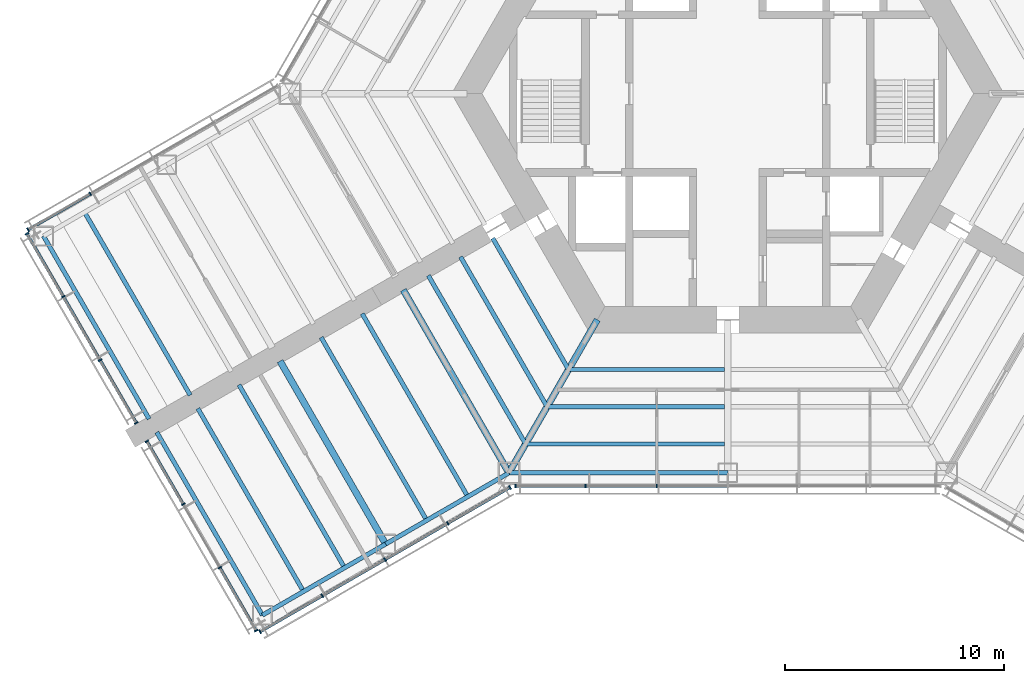
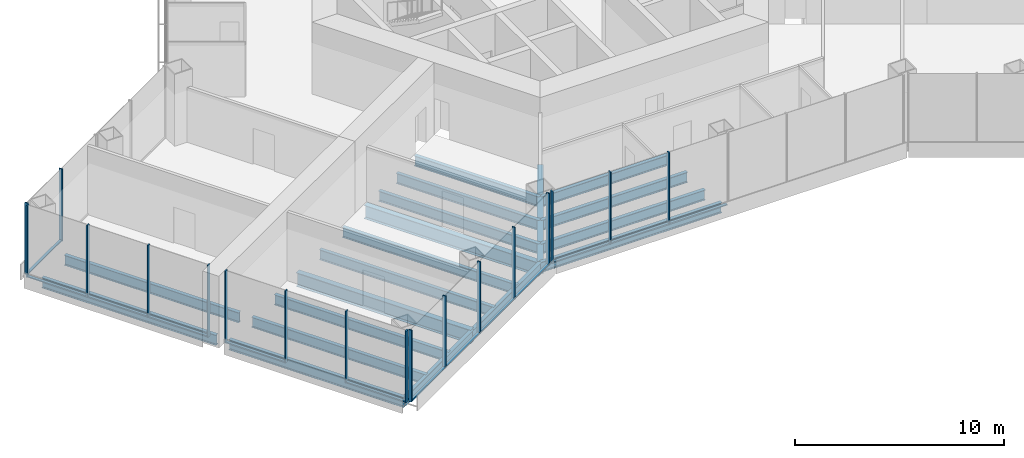
# One storey, part 2 of 16: 31 members, 19 beams, 5 elements without a shape of their own.
"""IFC4 building model written with IfcOpenShell, lengths in metres."""

from ifc_helpers import new_model, si_unit, direction, frame, origin, origin_2d, place, context, subcontext, project, spatial, rectangle, i_section, extrude, material, material_profile, profile_set, type_object, element, aggregate, save


model = new_model("IFC4")

# Units and contexts
model_context = context("Model", 3, precision=1e-05, world=origin(), true_north=direction((0.0, 1.0)))
body_context = subcontext(model_context, "Body", "Model", "MODEL_VIEW")
ifc_project = project(units=[si_unit("LENGTHUNIT", "METRE"), si_unit("AREAUNIT", "SQUARE_METRE"), si_unit("VOLUMEUNIT", "CUBIC_METRE"), si_unit("PLANEANGLEUNIT", "RADIAN"), si_unit("MASSUNIT", "GRAM", prefix="KILO")], contexts=[model_context])

# Site, building, storey
site_placement = place(None, origin())
site = spatial("IfcSite", under=ifc_project, at=site_placement, CompositionType="ELEMENT")
building_placement = place(site_placement, origin())
building = spatial("IfcBuilding", under=site, at=building_placement, Name="Kasaneha Research Tower", CompositionType="ELEMENT")
storey_placement = place(building_placement, frame((0.0, 0.0, 22.60009765625)))
storey = spatial("IfcBuildingStorey", under=building, at=storey_placement, Name="L06", CompositionType="ELEMENT", Elevation=22.60009765625)

# Beams
ifc_material_1 = material(Name="Steel SN490B", Category="steel")
ifc_material_profile_1 = material_profile(ifc_material_1, i_section(OverallWidth=0.199951171875, OverallDepth=0.60009765625, WebThickness=0.010986328125, FlangeThickness=0.01708984375, FilletRadius=0.012939453125, at=origin_2d()), Name="H-600x200x11x17")
ifc_profile_set_1 = profile_set([ifc_material_profile_1], Name="Steel SN490B")
beam_type_1 = type_object("IfcBeamType", Name="B1-1 secondary beam H-600x200x11x17", PredefinedType="JOIST", material=ifc_profile_set_1)
beam_1_placement = place(storey_placement, frame((-7.274658203125, -12.60009765625, -0.5), z_axis=(-0.499972710878, 0.866041158593, 0.0), x_axis=(-0.866041158593, -0.499972710878, 0.0)))
element("IfcBeam", 1, at=beam_1_placement, inside=storey, type_object=beam_type_1, Name="Secondary beam RS210R1 L06", PredefinedType="JOIST", context=body_context, shape_type="SweptSolid", body=[
    extrude(i_section(OverallWidth=0.199951171875, OverallDepth=0.60009765625, WebThickness=0.010986328125, FlangeThickness=0.01708984375, FilletRadius=0.012939453125, at=origin_2d()), origin(), (0.0, 0.0, 1.0), 6.9248046875),
])
beam_2_placement = place(storey_placement, frame((-8.256103515625, -14.300048828125, -0.5), z_axis=(-0.500004902938, 0.866022573054, 0.0), x_axis=(-0.866022573054, -0.500004902938, 0.0)))
element("IfcBeam", 2, at=beam_2_placement, inside=storey, type_object=beam_type_1, Name="Secondary beam RS210R2 L06", PredefinedType="JOIST", context=body_context, shape_type="SweptSolid", body=[
    extrude(i_section(OverallWidth=0.199951171875, OverallDepth=0.60009765625, WebThickness=0.010986328125, FlangeThickness=0.01708984375, FilletRadius=0.012939453125, at=origin_2d()), origin(), (0.0, 0.0, 1.0), 7.90625),
])
beam_3_placement = place(storey_placement, frame((-9.237548828125, -16.0, -0.5), z_axis=(-0.500009382636, 0.866019986649, 0.0), x_axis=(-0.866019986649, -0.500009382636, 0.0)))
element("IfcBeam", 3, at=beam_3_placement, inside=storey, type_object=beam_type_1, Name="Secondary beam RS210R3 L06", PredefinedType="JOIST", context=body_context, shape_type="SweptSolid", body=[
    extrude(i_section(OverallWidth=0.199951171875, OverallDepth=0.60009765625, WebThickness=0.010986328125, FlangeThickness=0.01708984375, FilletRadius=0.012939453125, at=origin_2d()), origin(), (0.0, 0.0, 1.0), 8.887451171875),
])
beam_4_placement = place(storey_placement, frame((-7.274658203125, -12.60009765625, -0.5), z_axis=(1.0, 0.0, 0.0), x_axis=(0.0, 1.0, 0.0)))
element("IfcBeam", 4, at=beam_4_placement, inside=storey, type_object=beam_type_1, Name="Secondary beam RS270L1 L06", PredefinedType="JOIST", context=body_context, shape_type="SweptSolid", body=[
    extrude(i_section(OverallWidth=0.199951171875, OverallDepth=0.60009765625, WebThickness=0.010986328125, FlangeThickness=0.01708984375, FilletRadius=0.012939453125, at=origin_2d()), origin(), (0.0, 0.0, 1.0), 7.124755859375),
])
beam_5_placement = place(storey_placement, frame((-8.256103515625, -14.300048828125, -0.5), z_axis=(1.0, 0.0, 0.0), x_axis=(0.0, 1.0, 0.0)))
element("IfcBeam", 5, at=beam_5_placement, inside=storey, type_object=beam_type_1, Name="Secondary beam RS270L2 L06", PredefinedType="JOIST", context=body_context, shape_type="SweptSolid", body=[
    extrude(i_section(OverallWidth=0.199951171875, OverallDepth=0.60009765625, WebThickness=0.010986328125, FlangeThickness=0.01708984375, FilletRadius=0.012939453125, at=origin_2d()), origin(), (0.0, 0.0, 1.0), 8.106201171875),
])
beam_6_placement = place(storey_placement, frame((-9.237548828125, -16.0, -0.5), z_axis=(1.0, 0.0, 0.0), x_axis=(0.0, 1.0, 0.0)))
element("IfcBeam", 6, at=beam_6_placement, inside=storey, type_object=beam_type_1, Name="Secondary beam RS270L3 L06", PredefinedType="JOIST", context=body_context, shape_type="SweptSolid", body=[
    extrude(i_section(OverallWidth=0.199951171875, OverallDepth=0.60009765625, WebThickness=0.010986328125, FlangeThickness=0.01708984375, FilletRadius=0.012939453125, at=origin_2d()), origin(), (0.0, 0.0, 1.0), 9.087646484375),
])
ifc_material_2 = material(Name="Steel SN490B", Category="steel")
ifc_material_profile_2 = material_profile(ifc_material_2, i_section(OverallWidth=0.198974609375, OverallDepth=0.595947265625, WebThickness=0.010009765625, FlangeThickness=0.014892578125, FilletRadius=0.012939453125, at=origin_2d()), Name="H-596x199x10x15")
ifc_profile_set_2 = profile_set([ifc_material_profile_2], Name="Steel SN490B")
beam_type_2 = type_object("IfcBeamType", Name="B2-1 secondary beam H-596x199x10x15", PredefinedType="JOIST", material=ifc_profile_set_2)
for number, where, z_axis, x_axis, name in (
    (7, (-29.3818359375, -5.416748046875, -0.498046875), (0.499994742786, -0.866028439017, 0.0), (0.866028439017, 0.499994742786, 0.0), "Secondary beam WBBP4 L06"),
    (8, (-11.87646484375, -18.40380859375, -0.498046875), (-0.499994742786, 0.866028439017, 0.0), (-0.866028439017, -0.499994742786, 0.0), "Secondary beam WBBN1 L06"),
    (9, (-13.752685546875, -19.487060546875, -0.498046875), (-0.500024672494, 0.866011158645, 0.0), (-0.866011158645, -0.500024672494, 0.0), "Secondary beam WBBN2 L06"),
    (10, (-17.505615234375, -21.65380859375, -0.498046875), (-0.499994742786, 0.866028439017, 0.0), (-0.866028439017, -0.499994742786, 0.0), "Secondary beam WBBN3 L06"),
    (11, (-19.3818359375, -22.737060546875, -0.498046875), (-0.500024672494, 0.866011158645, 0.0), (-0.866011158645, -0.500024672494, 0.0), "Secondary beam WBBN4 L06"),
):
    element("IfcBeam", number, at=place(storey_placement, frame(where, z_axis=z_axis, x_axis=x_axis)), inside=storey, type_object=beam_type_2, Name=name, PredefinedType="JOIST", context=body_context, shape_type="SweptSolid", body=[
        extrude(i_section(OverallWidth=0.198974609375, OverallDepth=0.595947265625, WebThickness=0.010009765625, FlangeThickness=0.014892578125, FilletRadius=0.012939453125, at=origin_2d()), origin(), (0.0, 0.0, 1.0), 9.64990234375),
    ])

# Curtain wall, members
ifc_material_3 = material(Name="Glass and aluminium", Category="aluminium")
curtain_wall_type = type_object("IfcCurtainWallType", Name="Wet laboratory curtain wall", PredefinedType="USERDEFINED", material=ifc_material_3)
curtain_wall_1_placement = place(storey_placement, origin())
curtain_wall_1 = element("IfcCurtainWall", 12, at=curtain_wall_1_placement, inside=storey, type_object=curtain_wall_type, Name="CW-L1 L06 run 01a", ObjectType="UNITISED CURTAIN WALL", PredefinedType="USERDEFINED")
ifc_material_4 = material(Name="Aluminium 6063-T6", Category="aluminium")
ifc_material_profile_3 = material_profile(ifc_material_4, rectangle(XDim=0.06494140625, YDim=0.179931640625, at=origin_2d()), Name="CW-L1 mullion 65x180")
ifc_profile_set_3 = profile_set([ifc_material_profile_3], Name="Aluminium 6063-T6")
member_type_1 = type_object("IfcMemberType", Name="CW-L1 mullion", PredefinedType="MULLION", material=ifc_profile_set_3)
member_1_placement = place(storey_placement, frame((-21.36328125, -24.573974609375, 0.0), z_axis=(0.0, 0.0, 1.0), x_axis=(0.866025411464, 0.499999986699, 0.0)))
member_1 = element("IfcMember", 13, at=member_1_placement, type_object=member_type_1, Name="CW-L1 mullion 1", PredefinedType="MULLION", context=body_context, shape_type="SweptSolid", body=[
    extrude(rectangle(XDim=0.06494140625, YDim=0.179931640625, at=origin_2d()), origin(), (0.0, 0.0, 1.0), 4.199951171875),
])
member_2_placement = place(storey_placement, frame((-18.52490234375, -22.935302734375, 0.0), z_axis=(0.0, 0.0, 1.0), x_axis=(0.866025411464, 0.499999986699, 0.0)))
member_2 = element("IfcMember", 14, at=member_2_placement, type_object=member_type_1, Name="CW-L1 mullion 2", PredefinedType="MULLION", context=body_context, shape_type="SweptSolid", body=[
    extrude(rectangle(XDim=0.06494140625, YDim=0.179931640625, at=origin_2d()), origin(), (0.0, 0.0, 1.0), 4.199951171875),
])
member_3_placement = place(storey_placement, frame((-15.65869140625, -21.2802734375, 0.0), z_axis=(0.0, 0.0, 1.0), x_axis=(0.866025411464, 0.499999986699, 0.0)))
member_3 = element("IfcMember", 15, at=member_3_placement, type_object=member_type_1, Name="CW-L1 mullion 3", PredefinedType="MULLION", context=body_context, shape_type="SweptSolid", body=[
    extrude(rectangle(XDim=0.06494140625, YDim=0.179931640625, at=origin_2d()), origin(), (0.0, 0.0, 1.0), 4.199951171875),
])
member_4_placement = place(storey_placement, frame((-12.792236328125, -19.62548828125, 0.0), z_axis=(0.0, 0.0, 1.0), x_axis=(0.866025411464, 0.499999986699, 0.0)))
member_4 = element("IfcMember", 16, at=member_4_placement, type_object=member_type_1, Name="CW-L1 mullion 4", PredefinedType="MULLION", context=body_context, shape_type="SweptSolid", body=[
    extrude(rectangle(XDim=0.06494140625, YDim=0.179931640625, at=origin_2d()), origin(), (0.0, 0.0, 1.0), 4.199951171875),
])
member_5_placement = place(storey_placement, frame((-9.953857421875, -17.98681640625, 0.0), z_axis=(0.0, 0.0, 1.0), x_axis=(0.866025411464, 0.499999986699, 0.0)))
member_5 = element("IfcMember", 17, at=member_5_placement, type_object=member_type_1, Name="CW-L1 mullion 5", PredefinedType="MULLION", context=body_context, shape_type="SweptSolid", body=[
    extrude(rectangle(XDim=0.06494140625, YDim=0.179931640625, at=origin_2d()), origin(), (0.0, 0.0, 1.0), 4.199951171875),
])

curtain_wall_2_placement = place(storey_placement, origin())
curtain_wall_2 = element("IfcCurtainWall", 18, at=curtain_wall_2_placement, inside=storey, type_object=curtain_wall_type, Name="CW-L1 L06 run 02a", ObjectType="UNITISED CURTAIN WALL", PredefinedType="USERDEFINED")
member_6_placement = place(storey_placement, frame((-9.706787109375, -17.92041015625, 0.0), z_axis=(0.0, 0.0, 1.0), x_axis=(1.0, 0.0, 0.0)))
member_6 = element("IfcMember", 19, at=member_6_placement, type_object=member_type_1, Name="CW-L1 mullion 1", PredefinedType="MULLION", context=body_context, shape_type="SweptSolid", body=[
    extrude(rectangle(XDim=0.06494140625, YDim=0.179931640625, at=origin_2d()), origin(), (0.0, 0.0, 1.0), 4.199951171875),
])
member_7_placement = place(storey_placement, frame((-6.492919921875, -17.92041015625, 0.0), z_axis=(0.0, 0.0, 1.0), x_axis=(1.0, 0.0, 0.0)))
member_7 = element("IfcMember", 20, at=member_7_placement, type_object=member_type_1, Name="CW-L1 mullion 2", PredefinedType="MULLION", context=body_context, shape_type="SweptSolid", body=[
    extrude(rectangle(XDim=0.06494140625, YDim=0.179931640625, at=origin_2d()), origin(), (0.0, 0.0, 1.0), 4.199951171875),
])
member_8_placement = place(storey_placement, frame((-3.246337890625, -17.92041015625, 0.0), z_axis=(0.0, 0.0, 1.0), x_axis=(1.0, 0.0, 0.0)))
member_8 = element("IfcMember", 21, at=member_8_placement, type_object=member_type_1, Name="CW-L1 mullion 3", PredefinedType="MULLION", context=body_context, shape_type="SweptSolid", body=[
    extrude(rectangle(XDim=0.06494140625, YDim=0.179931640625, at=origin_2d()), origin(), (0.0, 0.0, 1.0), 4.199951171875),
])

curtain_wall_3_placement = place(storey_placement, origin())
curtain_wall_3 = element("IfcCurtainWall", 22, at=curtain_wall_3_placement, inside=storey, type_object=curtain_wall_type, Name="CW-L1 L06 run 13a", ObjectType="UNITISED CURTAIN WALL", PredefinedType="USERDEFINED")
member_9_placement = place(storey_placement, frame((-29.125, -4.575439453125, 0.0), z_axis=(0.0, 0.0, 1.0), x_axis=(-0.866025411464, -0.499999986699, 0.0)))
member_9 = element("IfcMember", 23, at=member_9_placement, type_object=member_type_1, Name="CW-L1 mullion 4", PredefinedType="MULLION", context=body_context, shape_type="SweptSolid", body=[
    extrude(rectangle(XDim=0.06494140625, YDim=0.179931640625, at=origin_2d()), origin(), (0.0, 0.0, 1.0), 4.199951171875),
])
member_10_placement = place(storey_placement, frame((-31.963134765625, -6.214111328125, 0.0), z_axis=(0.0, 0.0, 1.0), x_axis=(-0.866025411464, -0.499999986699, 0.0)))
member_10 = element("IfcMember", 24, at=member_10_placement, type_object=member_type_1, Name="CW-L1 mullion 5", PredefinedType="MULLION", context=body_context, shape_type="SweptSolid", body=[
    extrude(rectangle(XDim=0.06494140625, YDim=0.179931640625, at=origin_2d()), origin(), (0.0, 0.0, 1.0), 4.199951171875),
])

curtain_wall_4_placement = place(storey_placement, origin())
curtain_wall_4 = element("IfcCurtainWall", 25, at=curtain_wall_4_placement, inside=storey, type_object=curtain_wall_type, Name="CW-L1 L06 run 14a", ObjectType="UNITISED CURTAIN WALL", PredefinedType="USERDEFINED")
member_11_placement = place(storey_placement, frame((-32.01171875, -6.39501953125, 0.0), z_axis=(0.0, 0.0, 1.0), x_axis=(0.500000011442, -0.866025397178, 0.0)))
member_11 = element("IfcMember", 26, at=member_11_placement, type_object=member_type_1, Name="CW-L1 mullion 1", PredefinedType="MULLION", context=body_context, shape_type="SweptSolid", body=[
    extrude(rectangle(XDim=0.06494140625, YDim=0.179931640625, at=origin_2d()), origin(), (0.0, 0.0, 1.0), 4.199951171875),
])
member_12_placement = place(storey_placement, frame((-30.35302734375, -9.26806640625, 0.0), z_axis=(0.0, 0.0, 1.0), x_axis=(0.500000011442, -0.866025397178, 0.0)))
member_12 = element("IfcMember", 27, at=member_12_placement, type_object=member_type_1, Name="CW-L1 mullion 2", PredefinedType="MULLION", context=body_context, shape_type="SweptSolid", body=[
    extrude(rectangle(XDim=0.06494140625, YDim=0.179931640625, at=origin_2d()), origin(), (0.0, 0.0, 1.0), 4.199951171875),
])
member_13_placement = place(storey_placement, frame((-28.677978515625, -12.16943359375, 0.0), z_axis=(0.0, 0.0, 1.0), x_axis=(0.500000011442, -0.866025397178, 0.0)))
member_13 = element("IfcMember", 28, at=member_13_placement, type_object=member_type_1, Name="CW-L1 mullion 3", PredefinedType="MULLION", context=body_context, shape_type="SweptSolid", body=[
    extrude(rectangle(XDim=0.06494140625, YDim=0.179931640625, at=origin_2d()), origin(), (0.0, 0.0, 1.0), 4.199951171875),
])
member_14_placement = place(storey_placement, frame((-27.019287109375, -15.04248046875, 0.0), z_axis=(0.0, 0.0, 1.0), x_axis=(0.500000011442, -0.866025397178, 0.0)))
member_14 = element("IfcMember", 29, at=member_14_placement, type_object=member_type_1, Name="CW-L1 mullion 4", PredefinedType="MULLION", context=body_context, shape_type="SweptSolid", body=[
    extrude(rectangle(XDim=0.06494140625, YDim=0.179931640625, at=origin_2d()), origin(), (0.0, 0.0, 1.0), 4.199951171875),
])

curtain_wall_5_placement = place(storey_placement, origin())
curtain_wall_5 = element("IfcCurtainWall", 30, at=curtain_wall_5_placement, inside=storey, type_object=curtain_wall_type, Name="CW-L1 L06 run 15a", ObjectType="UNITISED CURTAIN WALL", PredefinedType="USERDEFINED")
member_15_placement = place(storey_placement, frame((-26.53662109375, -15.878173828125, 0.0), z_axis=(0.0, 0.0, 1.0), x_axis=(0.500000011442, -0.866025397178, 0.0)))
member_15 = element("IfcMember", 31, at=member_15_placement, type_object=member_type_1, Name="CW-L1 mullion 1", PredefinedType="MULLION", context=body_context, shape_type="SweptSolid", body=[
    extrude(rectangle(XDim=0.06494140625, YDim=0.179931640625, at=origin_2d()), origin(), (0.0, 0.0, 1.0), 4.199951171875),
])
member_16_placement = place(storey_placement, frame((-24.8779296875, -18.751220703125, 0.0), z_axis=(0.0, 0.0, 1.0), x_axis=(0.500000011442, -0.866025397178, 0.0)))
member_16 = element("IfcMember", 32, at=member_16_placement, type_object=member_type_1, Name="CW-L1 mullion 2", PredefinedType="MULLION", context=body_context, shape_type="SweptSolid", body=[
    extrude(rectangle(XDim=0.06494140625, YDim=0.179931640625, at=origin_2d()), origin(), (0.0, 0.0, 1.0), 4.199951171875),
])
member_17_placement = place(storey_placement, frame((-23.202880859375, -21.65234375, 0.0), z_axis=(0.0, 0.0, 1.0), x_axis=(0.500000011442, -0.866025397178, 0.0)))
member_17 = element("IfcMember", 33, at=member_17_placement, type_object=member_type_1, Name="CW-L1 mullion 3", PredefinedType="MULLION", context=body_context, shape_type="SweptSolid", body=[
    extrude(rectangle(XDim=0.06494140625, YDim=0.179931640625, at=origin_2d()), origin(), (0.0, 0.0, 1.0), 4.199951171875),
])
member_18_placement = place(storey_placement, frame((-21.544189453125, -24.525390625, 0.0), z_axis=(0.0, 0.0, 1.0), x_axis=(0.500000011442, -0.866025397178, 0.0)))
member_18 = element("IfcMember", 34, at=member_18_placement, type_object=member_type_1, Name="CW-L1 mullion 4", PredefinedType="MULLION", context=body_context, shape_type="SweptSolid", body=[
    extrude(rectangle(XDim=0.06494140625, YDim=0.179931640625, at=origin_2d()), origin(), (0.0, 0.0, 1.0), 4.199951171875),
])

# Member
ifc_material_5 = material(Name="Aluminium 6063-T6", Category="aluminium")
ifc_material_profile_4 = material_profile(ifc_material_5, rectangle(XDim=0.139892578125, YDim=0.06494140625, at=origin_2d()), Name="CW-L1 transom 140x65")
ifc_profile_set_4 = profile_set([ifc_material_profile_4], Name="Aluminium 6063-T6")
member_type_2 = type_object("IfcMemberType", Name="CW-L1 transom", PredefinedType="USERDEFINED", material=ifc_profile_set_4)
member_19_placement = place(storey_placement, frame((-21.3349609375, -24.5576171875, 0.032470703125), z_axis=(0.86600331843, 0.500038251005, 0.0), x_axis=(-0.500038251005, 0.86600331843, 0.0)))
member_19 = element("IfcMember", 35, at=member_19_placement, type_object=member_type_2, Name="CW-L1 transom 1", ObjectType="TRANSOM", PredefinedType="USERDEFINED", context=body_context, shape_type="SweptSolid", body=[
    extrude(rectangle(XDim=0.139892578125, YDim=0.06494140625, at=origin_2d()), origin(), (0.0, 0.0, 1.0), 3.212158203125),
])

member_20_placement = place(storey_placement, frame((-18.496826171875, -22.9189453125, 0.032470703125), z_axis=(0.866035229914, 0.499982980259, 0.0), x_axis=(-0.499982980259, 0.866035229914, 0.0)))
member_20 = element("IfcMember", 36, at=member_20_placement, type_object=member_type_2, Name="CW-L1 transom 2", ObjectType="TRANSOM", PredefinedType="USERDEFINED", context=body_context, shape_type="SweptSolid", body=[
    extrude(rectangle(XDim=0.139892578125, YDim=0.06494140625, at=origin_2d()), origin(), (0.0, 0.0, 1.0), 3.24462890625),
])

member_21_placement = place(storey_placement, frame((-15.63037109375, -21.26416015625, 0.032470703125), z_axis=(0.866002649306, 0.500039409842, 0.0), x_axis=(-0.500039409842, 0.866002649306, 0.0)))
member_21 = element("IfcMember", 37, at=member_21_placement, type_object=member_type_2, Name="CW-L1 transom 3", ObjectType="TRANSOM", PredefinedType="USERDEFINED", context=body_context, shape_type="SweptSolid", body=[
    extrude(rectangle(XDim=0.139892578125, YDim=0.06494140625, at=origin_2d()), origin(), (0.0, 0.0, 1.0), 3.244873046875),
])

member_22_placement = place(storey_placement, frame((-12.76416015625, -19.609130859375, 0.032470703125), z_axis=(0.866022320763, 0.500005339912, 0.0), x_axis=(-0.500005339912, 0.866022320763, 0.0)))
member_22 = element("IfcMember", 38, at=member_22_placement, type_object=member_type_2, Name="CW-L1 transom 4", ObjectType="TRANSOM", PredefinedType="USERDEFINED", context=body_context, shape_type="SweptSolid", body=[
    extrude(rectangle(XDim=0.139892578125, YDim=0.06494140625, at=origin_2d()), origin(), (0.0, 0.0, 1.0), 3.21240234375),
])

aggregate(curtain_wall_1, [member_1, member_2, member_3, member_4, member_5, member_19, member_20, member_21, member_22])

member_23_placement = place(storey_placement, frame((-9.67431640625, -17.92041015625, 0.032470703125), z_axis=(1.0, 0.0, 0.0), x_axis=(0.0, 1.0, 0.0)))
member_23 = element("IfcMember", 39, at=member_23_placement, type_object=member_type_2, Name="CW-L1 transom 1", ObjectType="TRANSOM", PredefinedType="USERDEFINED", context=body_context, shape_type="SweptSolid", body=[
    extrude(rectangle(XDim=0.139892578125, YDim=0.06494140625, at=origin_2d()), origin(), (0.0, 0.0, 1.0), 3.14892578125),
])

member_24_placement = place(storey_placement, frame((-6.460205078125, -17.92041015625, 0.032470703125), z_axis=(1.0, 0.0, 0.0), x_axis=(0.0, 1.0, 0.0)))
member_24 = element("IfcMember", 40, at=member_24_placement, type_object=member_type_2, Name="CW-L1 transom 2", ObjectType="TRANSOM", PredefinedType="USERDEFINED", context=body_context, shape_type="SweptSolid", body=[
    extrude(rectangle(XDim=0.139892578125, YDim=0.06494140625, at=origin_2d()), origin(), (0.0, 0.0, 1.0), 3.181396484375),
])

member_25_placement = place(storey_placement, frame((-3.2138671875, -17.92041015625, 0.032470703125), z_axis=(1.0, 0.0, 0.0), x_axis=(0.0, 1.0, 0.0)))
member_25 = element("IfcMember", 41, at=member_25_placement, type_object=member_type_2, Name="CW-L1 transom 3", ObjectType="TRANSOM", PredefinedType="USERDEFINED", context=body_context, shape_type="SweptSolid", body=[
    extrude(rectangle(XDim=0.139892578125, YDim=0.06494140625, at=origin_2d()), origin(), (0.0, 0.0, 1.0), 3.181396484375),
])

aggregate(curtain_wall_2, [member_6, member_7, member_8, member_23, member_24, member_25])

member_26_placement = place(storey_placement, frame((-29.153076171875, -4.591796875, 0.032470703125), z_axis=(-0.866022320763, -0.500005339912, 0.0), x_axis=(0.500005339912, -0.866022320763, 0.0)))
member_26 = element("IfcMember", 42, at=member_26_placement, type_object=member_type_2, Name="CW-L1 transom 4", ObjectType="TRANSOM", PredefinedType="USERDEFINED", context=body_context, shape_type="SweptSolid", body=[
    extrude(rectangle(XDim=0.139892578125, YDim=0.06494140625, at=origin_2d()), origin(), (0.0, 0.0, 1.0), 3.21240234375),
])

aggregate(curtain_wall_3, [member_9, member_10, member_26])

member_27_placement = place(storey_placement, frame((-31.995361328125, -6.42333984375, 0.032470703125), z_axis=(0.500006189695, -0.866021830133, 0.0), x_axis=(0.866021830133, 0.500006189695, 0.0)))
member_27 = element("IfcMember", 43, at=member_27_placement, type_object=member_type_2, Name="CW-L1 transom 1", ObjectType="TRANSOM", PredefinedType="USERDEFINED", context=body_context, shape_type="SweptSolid", body=[
    extrude(rectangle(XDim=0.139892578125, YDim=0.06494140625, at=origin_2d()), origin(), (0.0, 0.0, 1.0), 3.25244140625),
])

member_28_placement = place(storey_placement, frame((-30.336669921875, -9.29638671875, 0.032470703125), z_axis=(0.500039835994, -0.866002403241, 0.0), x_axis=(0.866002403241, 0.500039835994, 0.0)))
member_28 = element("IfcMember", 44, at=member_28_placement, type_object=member_type_2, Name="CW-L1 transom 2", ObjectType="TRANSOM", PredefinedType="USERDEFINED", context=body_context, shape_type="SweptSolid", body=[
    extrude(rectangle(XDim=0.139892578125, YDim=0.06494140625, at=origin_2d()), origin(), (0.0, 0.0, 1.0), 3.284912109375),
])

member_29_placement = place(storey_placement, frame((-28.66162109375, -12.197509765625, 0.032470703125), z_axis=(0.500006189695, -0.866021830133, 0.0), x_axis=(0.866021830133, 0.500006189695, 0.0)))
member_29 = element("IfcMember", 45, at=member_29_placement, type_object=member_type_2, Name="CW-L1 transom 3", ObjectType="TRANSOM", PredefinedType="USERDEFINED", context=body_context, shape_type="SweptSolid", body=[
    extrude(rectangle(XDim=0.139892578125, YDim=0.06494140625, at=origin_2d()), origin(), (0.0, 0.0, 1.0), 3.25244140625),
])

aggregate(curtain_wall_4, [member_11, member_12, member_13, member_14, member_27, member_28, member_29])

member_30_placement = place(storey_placement, frame((-26.5205078125, -15.90625, 0.032470703125), z_axis=(0.500006189695, -0.866021830133, 0.0), x_axis=(0.866021830133, 0.500006189695, 0.0)))
member_30 = element("IfcMember", 46, at=member_30_placement, type_object=member_type_2, Name="CW-L1 transom 1", ObjectType="TRANSOM", PredefinedType="USERDEFINED", context=body_context, shape_type="SweptSolid", body=[
    extrude(rectangle(XDim=0.139892578125, YDim=0.06494140625, at=origin_2d()), origin(), (0.0, 0.0, 1.0), 3.25244140625),
])

member_31_placement = place(storey_placement, frame((-23.186767578125, -21.680419921875, 0.032470703125), z_axis=(0.499973687205, -0.866040594951, 0.0), x_axis=(0.866040594951, 0.499973687205, 0.0)))
member_31 = element("IfcMember", 47, at=member_31_placement, type_object=member_type_2, Name="CW-L1 transom 3", ObjectType="TRANSOM", PredefinedType="USERDEFINED", context=body_context, shape_type="SweptSolid", body=[
    extrude(rectangle(XDim=0.139892578125, YDim=0.06494140625, at=origin_2d()), origin(), (0.0, 0.0, 1.0), 3.252685546875),
])

aggregate(curtain_wall_5, [member_15, member_16, member_17, member_18, member_30, member_31])

# Beams
ifc_material_6 = material(Name="Steel SN490B", Category="steel")
ifc_material_profile_5 = material_profile(ifc_material_6, i_section(OverallWidth=0.300048828125, OverallDepth=0.699951171875, WebThickness=0.012939453125, FlangeThickness=0.02392578125, FilletRadius=0.01806640625, at=origin_2d()), Name="H-700x300x13x24")
ifc_profile_set_5 = profile_set([ifc_material_profile_5], Name="Steel SN490B")
beam_type_3 = type_object("IfcBeamType", Name="G1-1 radial girder H-700x300x13x24", PredefinedType="BEAM", material=ifc_profile_set_5)
beam_7_placement = place(storey_placement, frame((-5.961181640625, -10.324951171875, -0.550048828125), z_axis=(-0.49999105496, -0.866030568144, 0.0), x_axis=(0.866030568144, -0.49999105496, 0.0)))
element("IfcBeam", 48, at=beam_7_placement, inside=storey, type_object=beam_type_3, Name="Radial girder RV240 L06", PredefinedType="BEAM", context=body_context, shape_type="SweptSolid", body=[
    extrude(i_section(OverallWidth=0.300048828125, OverallDepth=0.699951171875, WebThickness=0.012939453125, FlangeThickness=0.02392578125, FilletRadius=0.01806640625, at=origin_2d()), origin(), (0.0, 0.0, 1.0), 8.077880859375),
])
ifc_material_7 = material(Name="Steel SN490B", Category="steel")
ifc_material_profile_6 = material_profile(ifc_material_7, i_section(OverallWidth=0.300048828125, OverallDepth=0.7919921875, WebThickness=0.013916015625, FlangeThickness=0.02197265625, FilletRadius=0.01806640625, at=origin_2d()), Name="H-792x300x14x22")
ifc_profile_set_6 = profile_set([ifc_material_profile_6], Name="Steel SN490B")
beam_type_4 = type_object("IfcBeamType", Name="G3-1 plate edge girder H-792x300x14x22", PredefinedType="BEAM", material=ifc_profile_set_6)
beam_8_placement = place(storey_placement, frame((-10.0, -17.320556640625, -0.59619140625), z_axis=(-0.499994742786, 0.866028439017, 0.0), x_axis=(-0.866028439017, -0.499994742786, 0.0)))
element("IfcBeam", 49, at=beam_8_placement, inside=storey, type_object=beam_type_4, Name="Plate edge girder PEBN L06", PredefinedType="BEAM", context=body_context, shape_type="SweptSolid", body=[
    extrude(i_section(OverallWidth=0.300048828125, OverallDepth=0.7919921875, WebThickness=0.013916015625, FlangeThickness=0.02197265625, FilletRadius=0.01806640625, at=origin_2d()), origin(), (0.0, 0.0, 1.0), 9.64990234375),
])
ifc_material_8 = material(Name="Steel SN490B", Category="steel")
ifc_material_profile_7 = material_profile(ifc_material_8, i_section(OverallWidth=0.300048828125, OverallDepth=0.800048828125, WebThickness=0.013916015625, FlangeThickness=0.02587890625, FilletRadius=0.01806640625, at=origin_2d()), Name="H-800x300x14x26")
ifc_profile_set_7 = profile_set([ifc_material_profile_7], Name="Steel SN490B")
beam_type_5 = type_object("IfcBeamType", Name="G4-1 wing girder H-800x300x14x26", PredefinedType="BEAM", material=ifc_profile_set_7)
beam_9_placement = place(storey_placement, frame((-15.629150390625, -20.570556640625, -0.60009765625), z_axis=(-0.499994742786, 0.866028439017, 0.0), x_axis=(-0.866028439017, -0.499994742786, 0.0)))
element("IfcBeam", 50, at=beam_9_placement, inside=storey, type_object=beam_type_5, Name="Wing girder WGBN L06", PredefinedType="BEAM", context=body_context, shape_type="SweptSolid", body=[
    extrude(i_section(OverallWidth=0.300048828125, OverallDepth=0.800048828125, WebThickness=0.013916015625, FlangeThickness=0.02587890625, FilletRadius=0.01806640625, at=origin_2d()), origin(), (0.0, 0.0, 1.0), 9.64990234375),
])
ifc_material_9 = material(Name="Steel SN490B", Category="steel")
ifc_material_profile_8 = material_profile(ifc_material_9, i_section(OverallWidth=0.199951171875, OverallDepth=0.60009765625, WebThickness=0.010986328125, FlangeThickness=0.01708984375, FilletRadius=0.012939453125, at=origin_2d()), Name="H-600x200x11x17")
ifc_profile_set_8 = profile_set([ifc_material_profile_8], Name="Steel SN490B")
beam_type_6 = type_object("IfcBeamType", Name="SB1-1 spandrel beam H-600x200x11x17", PredefinedType="SPANDREL", material=ifc_profile_set_8)
beam_10_placement = place(storey_placement, frame((-10.0, -17.320556640625, -0.5), z_axis=(1.0, 0.0, 0.0), x_axis=(0.0, 1.0, 0.0)))
element("IfcBeam", 51, at=beam_10_placement, inside=storey, type_object=beam_type_6, Name="Spandrel beam SR270L L06", PredefinedType="SPANDREL", context=body_context, shape_type="SweptSolid", body=[
    extrude(i_section(OverallWidth=0.199951171875, OverallDepth=0.60009765625, WebThickness=0.010986328125, FlangeThickness=0.01708984375, FilletRadius=0.012939453125, at=origin_2d()), origin(), (0.0, 0.0, 1.0), 10.0),
])
ifc_material_10 = material(Name="Steel SN490B", Category="steel")
ifc_material_profile_9 = material_profile(ifc_material_10, i_section(OverallWidth=0.199951171875, OverallDepth=0.5, WebThickness=0.010009765625, FlangeThickness=0.01611328125, FilletRadius=0.012939453125, at=origin_2d()), Name="H-500x200x10x16")
ifc_profile_set_9 = profile_set([ifc_material_profile_9], Name="Steel SN490B")
beam_type_7 = type_object("IfcBeamType", Name="SB2-1 spandrel beam H-500x200x10x16", PredefinedType="SPANDREL", material=ifc_profile_set_9)
for number, where, z_axis, x_axis, name in (
    (52, (-10.0, -17.320556640625, -0.4501953125), (-0.866024837091, -0.50000098154, 0.0), (0.50000098154, -0.866024837091, 0.0), "Spandrel beam WSBN1 L06"),
    (53, (-15.629150390625, -20.570556640625, -0.4501953125), (-0.866024837091, -0.50000098154, 0.0), (0.50000098154, -0.866024837091, 0.0), "Spandrel beam WSBN2 L06"),
):
    element("IfcBeam", number, at=place(storey_placement, frame(where, z_axis=z_axis, x_axis=x_axis)), inside=storey, type_object=beam_type_7, Name=name, PredefinedType="SPANDREL", context=body_context, shape_type="SweptSolid", body=[
        extrude(i_section(OverallWidth=0.199951171875, OverallDepth=0.5, WebThickness=0.010009765625, FlangeThickness=0.01611328125, FilletRadius=0.012939453125, at=origin_2d()), origin(), (0.0, 0.0, 1.0), 6.5),
    ])
ifc_material_11 = material(Name="Steel SN490B", Category="steel")
ifc_material_profile_10 = material_profile(ifc_material_11, i_section(OverallWidth=0.199951171875, OverallDepth=0.60009765625, WebThickness=0.010986328125, FlangeThickness=0.01708984375, FilletRadius=0.012939453125, at=origin_2d()), Name="H-600x200x11x17")
ifc_profile_set_10 = profile_set([ifc_material_profile_10], Name="Steel SN490B")
beam_type_8 = type_object("IfcBeamType", Name="SB3-1 spandrel beam H-600x200x11x17", PredefinedType="SPANDREL", material=ifc_profile_set_10)
for number, where, z_axis, x_axis, name in (
    (54, (-31.25830078125, -6.5, -0.5), (0.499994742786, -0.866028439017, 0.0), (0.866028439017, 0.499994742786, 0.0), "Spandrel beam WTBP L06"),
    (55, (-21.25830078125, -23.820556640625, -0.5), (-0.499994742786, 0.866028439017, 0.0), (-0.866028439017, -0.499994742786, 0.0), "Spandrel beam WTBN L06"),
):
    element("IfcBeam", number, at=place(storey_placement, frame(where, z_axis=z_axis, x_axis=x_axis)), inside=storey, type_object=beam_type_8, Name=name, PredefinedType="SPANDREL", context=body_context, shape_type="SweptSolid", body=[
        extrude(i_section(OverallWidth=0.199951171875, OverallDepth=0.60009765625, WebThickness=0.010986328125, FlangeThickness=0.01708984375, FilletRadius=0.012939453125, at=origin_2d()), origin(), (0.0, 0.0, 1.0), 9.64990234375),
    ])

save(model, "model.ifc")
